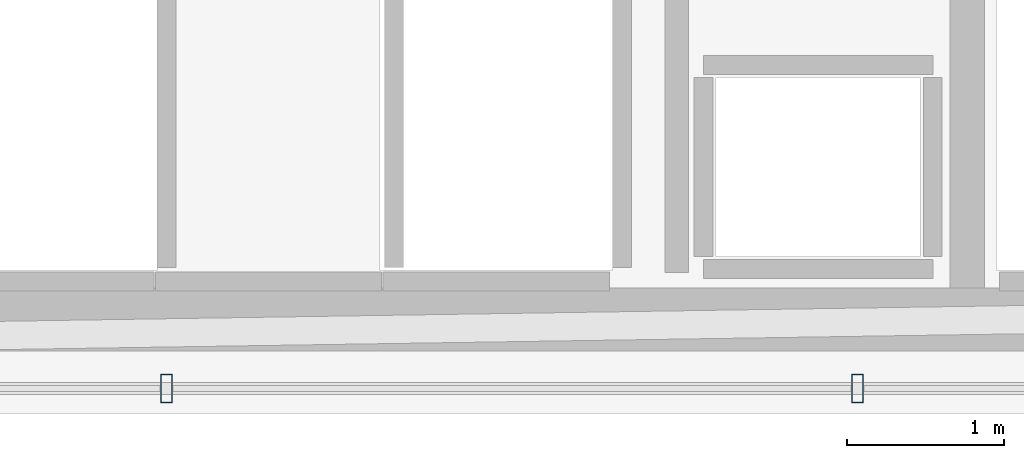
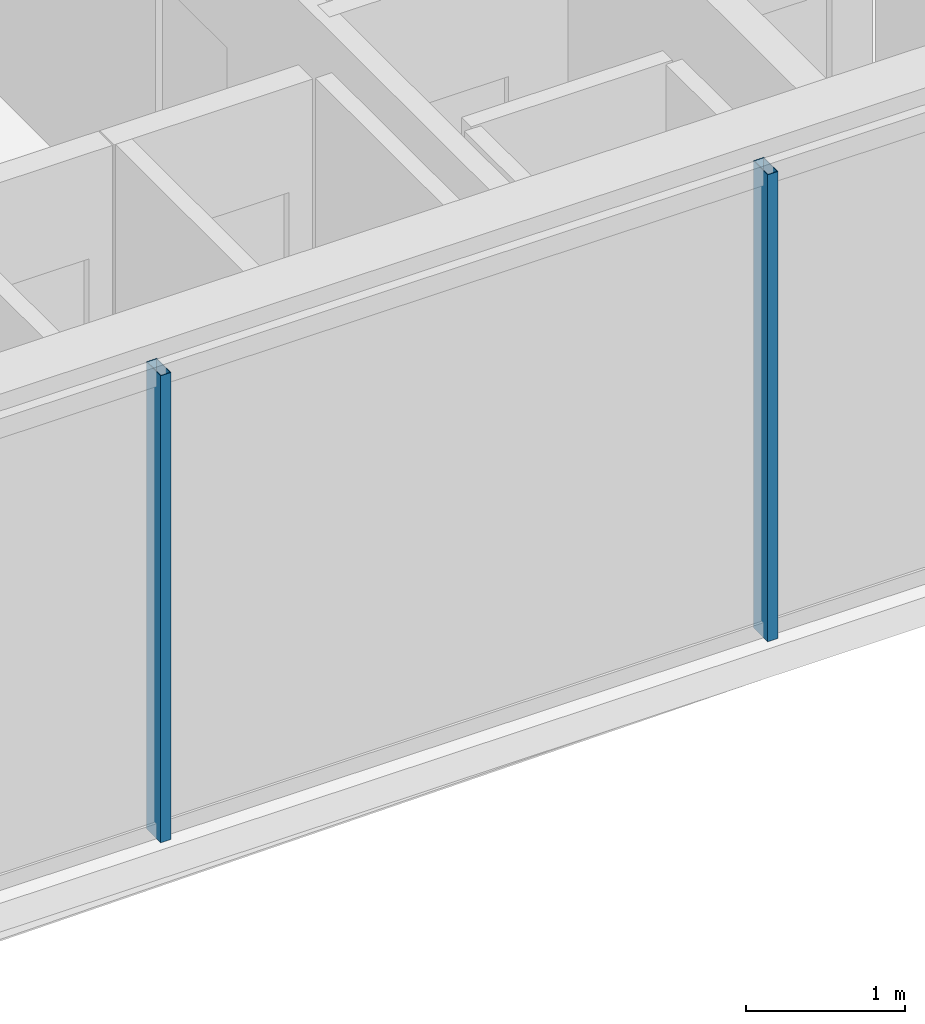
# One storey, part 9 of 32: 2 members, 1 element without a shape of its own.
"""IFC4 building model written with IfcOpenShell, lengths in metres."""

from ifc_helpers import new_model, si_unit, direction, frame, origin, origin_2d, place, context, subcontext, project, spatial, hollow_rectangle, extrude, material, layer, layer_set, material_profile, profile_set, type_object, element, aggregate, save


model = new_model("IFC4")

# Units and contexts
model_context = context("Model", 3, precision=1e-05, world=origin(), true_north=direction((0.0, 1.0)))
body_context = subcontext(model_context, "Body", "Model", "MODEL_VIEW")
ifc_project = project(units=[si_unit("LENGTHUNIT", "METRE"), si_unit("AREAUNIT", "SQUARE_METRE"), si_unit("VOLUMEUNIT", "CUBIC_METRE"), si_unit("PLANEANGLEUNIT", "RADIAN"), si_unit("MASSUNIT", "GRAM", prefix="KILO")], contexts=[model_context])

# Site, building, storey
site_placement = place(None, origin())
site = spatial("IfcSite", under=ifc_project, at=site_placement, CompositionType="ELEMENT")
building_placement = place(site_placement, origin())
building = spatial("IfcBuilding", under=site, at=building_placement, Name="Ndaravel Arena Tower", CompositionType="ELEMENT")
storey_placement = place(building_placement, frame((0.0, 0.0, 259.800048828125)))
storey = spatial("IfcBuildingStorey", under=building, at=storey_placement, Name="L63", CompositionType="ELEMENT", Elevation=259.800048828125)

# Curtain wall, members
ifc_material_1 = material(Name="Aluminium", Category="aluminium")
ifc_layer = layer(ifc_material_1, 0.179931640625)
ifc_layer_set = layer_set([ifc_layer], Name="Aluminium")
curtain_wall_type = type_object("IfcCurtainWallType", Name="CW-SYS-03", PredefinedType="NOTDEFINED", material=ifc_layer_set)
curtain_wall_placement = place(storey_placement, origin())
curtain_wall = element("IfcCurtainWall", 1, at=curtain_wall_placement, inside=storey, type_object=curtain_wall_type, Name="L63 Faceted Crystal Curtain Wall CW-L63-E01", PredefinedType="NOTDEFINED")
ifc_material_2 = material(Name="Aluminium", Category="aluminium")
ifc_material_profile = material_profile(ifc_material_2, hollow_rectangle(XDim=0.074951171875, YDim=0.179931640625, WallThickness=0.00390625, at=origin_2d()), Name="CW MULLION 75x180x4")
ifc_profile_set = profile_set([ifc_material_profile], Name="Aluminium")
member_type = type_object("IfcMemberType", Name="MEM-CW-MUL180", PredefinedType="MULLION", material=ifc_profile_set)
member_1_placement = place(storey_placement, frame((44.2001953125, 5.159912109375, 0.0), z_axis=(0.0, 0.0, 1.0), x_axis=(1.0, 0.0, 0.0)))
member_1 = element("IfcMember", 2, at=member_1_placement, type_object=member_type, Name="CW-L63-E01 Mullion 05", PredefinedType="MULLION", context=body_context, shape_type="SweptSolid", body=[
    extrude(hollow_rectangle(XDim=0.074951171875, YDim=0.179931640625, WallThickness=0.00390625, at=origin_2d()), origin(), (0.0, 0.0, 1.0), 3.579833984375),
])
member_2_placement = place(storey_placement, frame((48.60107421875, 5.159912109375, 0.0), z_axis=(0.0, 0.0, 1.0), x_axis=(1.0, 0.0, 0.0)))
member_2 = element("IfcMember", 3, at=member_2_placement, type_object=member_type, Name="CW-L63-E01 Mullion 06", PredefinedType="MULLION", context=body_context, shape_type="SweptSolid", body=[
    extrude(hollow_rectangle(XDim=0.074951171875, YDim=0.179931640625, WallThickness=0.00390625, at=origin_2d()), origin(), (0.0, 0.0, 1.0), 3.579833984375),
])
aggregate(curtain_wall, [member_1, member_2])

save(model, "model.ifc")
